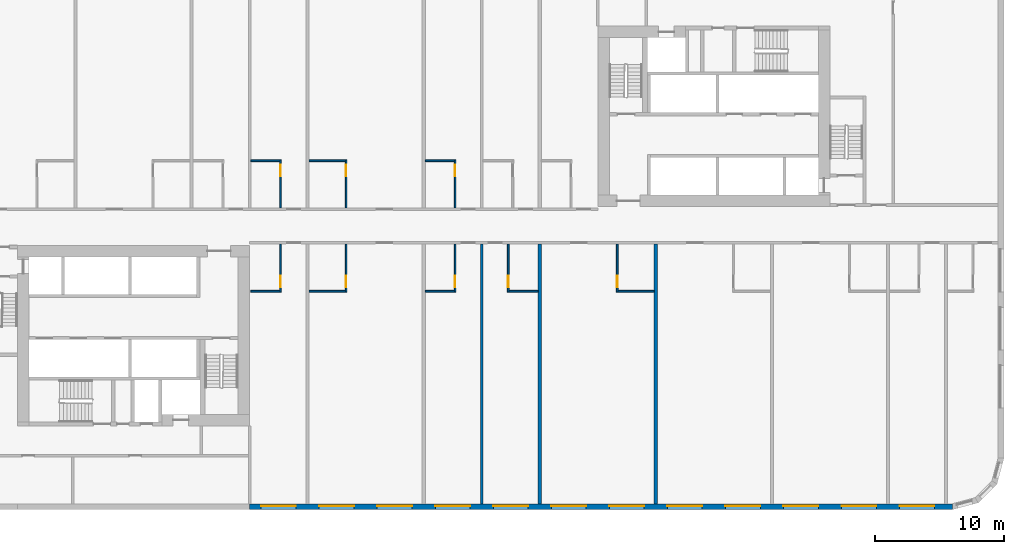
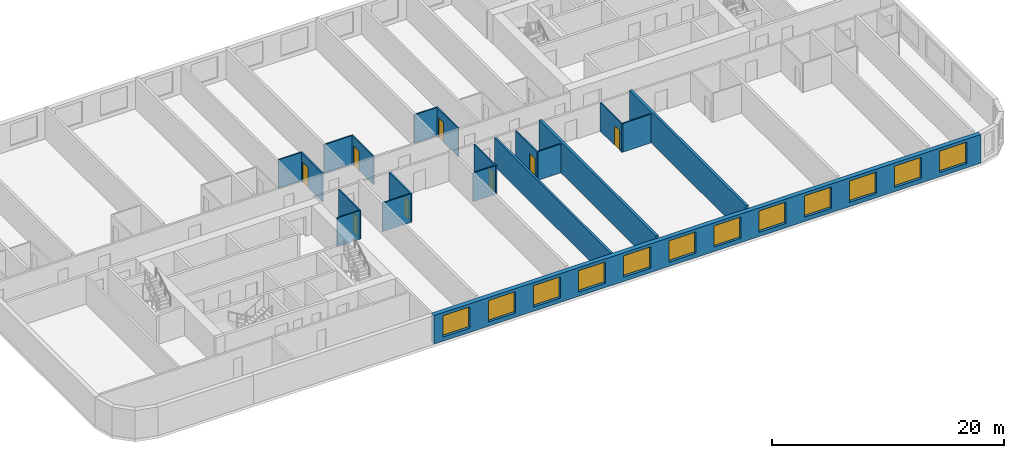
# One storey, part 4 of 12: 20 walls, 12 windows, 8 doors, 20 openings.
"""IFC4 building model written with IfcOpenShell, lengths in metres."""

from ifc_helpers import new_model, si_unit, direction, frame, frame_2d, origin, place, context, subcontext, project, spatial, rectangle, extrude, material, layer, layer_set, type_object, element, fill, save


model = new_model("IFC4")

# Units and contexts
model_context = context("Model", 3, precision=1e-05, world=origin(), true_north=direction((0.0, 1.0)))
body_context = subcontext(model_context, "Body", "Model", "MODEL_VIEW")
ifc_project = project(units=[si_unit("LENGTHUNIT", "METRE"), si_unit("AREAUNIT", "SQUARE_METRE"), si_unit("VOLUMEUNIT", "CUBIC_METRE"), si_unit("PLANEANGLEUNIT", "RADIAN"), si_unit("MASSUNIT", "GRAM", prefix="KILO")], contexts=[model_context])

# Site, building, storey
site_placement = place(None, origin())
site = spatial("IfcSite", under=ifc_project, at=site_placement, CompositionType="ELEMENT")
building_placement = place(site_placement, origin())
building = spatial("IfcBuilding", under=site, at=building_placement, Name="Kajstack Hotel Tower", CompositionType="ELEMENT")
storey_placement = place(building_placement, frame((0.0, 0.0, 66.60009765625)))
storey = spatial("IfcBuildingStorey", under=building, at=storey_placement, Name="L11", CompositionType="ELEMENT", Elevation=66.60009765625)

# Wall
ifc_material_1 = material(Name="Twin-frame gypsum board on steel studs, mineral wool", Category="steel")
ifc_layer_1 = layer(ifc_material_1, 0.199951171875)
ifc_layer_set_1 = layer_set([ifc_layer_1], Name="Demising wall 200")
wall_type_1 = type_object("IfcWallType", Name="Demising wall 200", PredefinedType="PARTITIONING", material=ifc_layer_set_1)
wall_1_placement = place(storey_placement, frame((4.5, -21.550048828125, 0.0), z_axis=(0.0, 0.0, 1.0), x_axis=(0.0, 1.0, 0.0)))
element("IfcWall", 1, at=wall_1_placement, inside=storey, type_object=wall_type_1, Name="G-wall-L11-031", PredefinedType="PARTITIONING", context=body_context, shape_type="SweptSolid", body=[
    extrude(rectangle(XDim=20.150146484375, YDim=0.199951171875, at=frame_2d((10.0751953125, 0.0))), origin(), (0.0, 0.0, 1.0), 3.02001953125),
])

# Wall, openings, windows
ifc_material_2 = material(Name="Terracotta-faced brick masonry", Category="masonry")
ifc_layer_2 = layer(ifc_material_2, 0.449951171875)
ifc_layer_set_2 = layer_set([ifc_layer_2], Name="EW-TERRA")
wall_type_2 = type_object("IfcWallType", Name="EW-TERRA", PredefinedType="SOLIDWALL", material=ifc_layer_set_2)
wall_2_placement = place(storey_placement, frame((-13.5, -21.77490234375, 0.0), z_axis=(0.0, 0.0, 1.0), x_axis=(1.0, 0.0, 0.0)))
wall_2 = element("IfcWall", 2, at=wall_2_placement, inside=storey, type_object=wall_type_2, Name="E-wall-L11-03-02", PredefinedType="SOLIDWALL", context=body_context, shape_type="SweptSolid", body=[
    extrude(rectangle(XDim=54.5, YDim=0.449951171875, at=frame_2d((27.25, 0.0))), origin(), (0.0, 0.0, 1.0), 3.02001953125),
])
opening_1_placement = place(wall_2_placement, frame((0.89990234375, 0.0, 0.449951171875)))
opening_1 = element("IfcOpeningElement", 3, at=opening_1_placement, cuts=wall_2, Name="Opening W1", PredefinedType="OPENING", context=body_context, shape_type="SweptSolid", body=[
    extrude(rectangle(XDim=2.699951171875, YDim=2.25, at=frame_2d((1.35009765625, 1.125))), frame((0.0, 0.23486328125, 0.0), z_axis=(0.0, -1.0, 0.0), x_axis=(1.0, 0.0, 0.0)), (0.0, 0.0, 1.0), 0.469970703125),
])
opening_2_placement = place(wall_2_placement, frame((5.39990234375, 0.0, 0.449951171875)))
opening_2 = element("IfcOpeningElement", 4, at=opening_2_placement, cuts=wall_2, Name="Opening W1", PredefinedType="OPENING", context=body_context, shape_type="SweptSolid", body=[
    extrude(rectangle(XDim=2.699951171875, YDim=2.25, at=frame_2d((1.35009765625, 1.125))), frame((0.0, 0.23486328125, 0.0), z_axis=(0.0, -1.0, 0.0), x_axis=(1.0, 0.0, 0.0)), (0.0, 0.0, 1.0), 0.469970703125),
])
opening_3_placement = place(wall_2_placement, frame((9.89990234375, 0.0, 0.449951171875)))
opening_3 = element("IfcOpeningElement", 5, at=opening_3_placement, cuts=wall_2, Name="Opening W1", PredefinedType="OPENING", context=body_context, shape_type="SweptSolid", body=[
    extrude(rectangle(XDim=2.699951171875, YDim=2.25, at=frame_2d((1.35009765625, 1.125))), frame((0.0, 0.23486328125, 0.0), z_axis=(0.0, -1.0, 0.0), x_axis=(1.0, 0.0, 0.0)), (0.0, 0.0, 1.0), 0.469970703125),
])
opening_4_placement = place(wall_2_placement, frame((14.39990234375, 0.0, 0.449951171875)))
opening_4 = element("IfcOpeningElement", 6, at=opening_4_placement, cuts=wall_2, Name="Opening W1", PredefinedType="OPENING", context=body_context, shape_type="SweptSolid", body=[
    extrude(rectangle(XDim=2.699951171875, YDim=2.25, at=frame_2d((1.35009765625, 1.125))), frame((0.0, 0.23486328125, 0.0), z_axis=(0.0, -1.0, 0.0), x_axis=(1.0, 0.0, 0.0)), (0.0, 0.0, 1.0), 0.469970703125),
])
opening_5_placement = place(wall_2_placement, frame((18.89990234375, 0.0, 0.449951171875)))
opening_5 = element("IfcOpeningElement", 7, at=opening_5_placement, cuts=wall_2, Name="Opening W1", PredefinedType="OPENING", context=body_context, shape_type="SweptSolid", body=[
    extrude(rectangle(XDim=2.699951171875, YDim=2.25, at=frame_2d((1.35009765625, 1.125))), frame((0.0, 0.23486328125, 0.0), z_axis=(0.0, -1.0, 0.0), x_axis=(1.0, 0.0, 0.0)), (0.0, 0.0, 1.0), 0.469970703125),
])
opening_6_placement = place(wall_2_placement, frame((23.39990234375, 0.0, 0.449951171875)))
opening_6 = element("IfcOpeningElement", 8, at=opening_6_placement, cuts=wall_2, Name="Opening W1", PredefinedType="OPENING", context=body_context, shape_type="SweptSolid", body=[
    extrude(rectangle(XDim=2.699951171875, YDim=2.25, at=frame_2d((1.35009765625, 1.125))), frame((0.0, 0.23486328125, 0.0), z_axis=(0.0, -1.0, 0.0), x_axis=(1.0, 0.0, 0.0)), (0.0, 0.0, 1.0), 0.469970703125),
])
opening_7_placement = place(wall_2_placement, frame((27.89990234375, 0.0, 0.449951171875)))
opening_7 = element("IfcOpeningElement", 9, at=opening_7_placement, cuts=wall_2, Name="Opening W1", PredefinedType="OPENING", context=body_context, shape_type="SweptSolid", body=[
    extrude(rectangle(XDim=2.699951171875, YDim=2.25, at=frame_2d((1.35009765625, 1.125))), frame((0.0, 0.23486328125, 0.0), z_axis=(0.0, -1.0, 0.0), x_axis=(1.0, 0.0, 0.0)), (0.0, 0.0, 1.0), 0.469970703125),
])
opening_8_placement = place(wall_2_placement, frame((32.39990234375, 0.0, 0.449951171875)))
opening_8 = element("IfcOpeningElement", 10, at=opening_8_placement, cuts=wall_2, Name="Opening W1", PredefinedType="OPENING", context=body_context, shape_type="SweptSolid", body=[
    extrude(rectangle(XDim=2.699951171875, YDim=2.25, at=frame_2d((1.35009765625, 1.125))), frame((0.0, 0.23486328125, 0.0), z_axis=(0.0, -1.0, 0.0), x_axis=(1.0, 0.0, 0.0)), (0.0, 0.0, 1.0), 0.469970703125),
])
opening_9_placement = place(wall_2_placement, frame((36.89990234375, 0.0, 0.449951171875)))
opening_9 = element("IfcOpeningElement", 11, at=opening_9_placement, cuts=wall_2, Name="Opening W1", PredefinedType="OPENING", context=body_context, shape_type="SweptSolid", body=[
    extrude(rectangle(XDim=2.699951171875, YDim=2.25, at=frame_2d((1.35009765625, 1.125))), frame((0.0, 0.23486328125, 0.0), z_axis=(0.0, -1.0, 0.0), x_axis=(1.0, 0.0, 0.0)), (0.0, 0.0, 1.0), 0.469970703125),
])
opening_10_placement = place(wall_2_placement, frame((41.39990234375, 0.0, 0.449951171875)))
opening_10 = element("IfcOpeningElement", 12, at=opening_10_placement, cuts=wall_2, Name="Opening W1", PredefinedType="OPENING", context=body_context, shape_type="SweptSolid", body=[
    extrude(rectangle(XDim=2.699951171875, YDim=2.25, at=frame_2d((1.35009765625, 1.125))), frame((0.0, 0.23486328125, 0.0), z_axis=(0.0, -1.0, 0.0), x_axis=(1.0, 0.0, 0.0)), (0.0, 0.0, 1.0), 0.469970703125),
])
opening_11_placement = place(wall_2_placement, frame((45.89990234375, 0.0, 0.449951171875)))
opening_11 = element("IfcOpeningElement", 13, at=opening_11_placement, cuts=wall_2, Name="Opening W1", PredefinedType="OPENING", context=body_context, shape_type="SweptSolid", body=[
    extrude(rectangle(XDim=2.699951171875, YDim=2.25, at=frame_2d((1.35009765625, 1.125))), frame((0.0, 0.23486328125, 0.0), z_axis=(0.0, -1.0, 0.0), x_axis=(1.0, 0.0, 0.0)), (0.0, 0.0, 1.0), 0.469970703125),
])
opening_12_placement = place(wall_2_placement, frame((50.39990234375, 0.0, 0.449951171875)))
opening_12 = element("IfcOpeningElement", 14, at=opening_12_placement, cuts=wall_2, Name="Opening W1", PredefinedType="OPENING", context=body_context, shape_type="SweptSolid", body=[
    extrude(rectangle(XDim=2.699951171875, YDim=2.25, at=frame_2d((1.35009765625, 1.125))), frame((0.0, 0.23486328125, 0.0), z_axis=(0.0, -1.0, 0.0), x_axis=(1.0, 0.0, 0.0)), (0.0, 0.0, 1.0), 0.469970703125),
])
ifc_material_3 = material(Name="Timber-aluminium window, triple glazed", Category="wood")
window_type = type_object("IfcWindowType", Name="WG1", PartitioningType="SINGLE_PANEL", PredefinedType="WINDOW", material=ifc_material_3)
window_1_placement = place(opening_1_placement, origin())
window_1 = element("IfcWindow", 15, at=window_1_placement, inside=storey, type_object=window_type, Name="Window W1 L11-03", OverallHeight=2.25, OverallWidth=2.699951171875, PartitioningType="SINGLE_PANEL", PredefinedType="WINDOW", context=body_context, shape_type="SweptSolid", body=[
    extrude(rectangle(XDim=2.699951171875, YDim=2.25, at=frame_2d((1.35009765625, 1.125))), frame((0.0, 0.090087890625, 0.0), z_axis=(0.0, -1.0, 0.0), x_axis=(1.0, 0.0, 0.0)), (0.0, 0.0, 1.0), 0.06005859375),
])
fill(opening_1, window_1)
window_2_placement = place(opening_2_placement, origin())
window_2 = element("IfcWindow", 16, at=window_2_placement, inside=storey, type_object=window_type, Name="Window W1 L11-03", OverallHeight=2.25, OverallWidth=2.699951171875, PartitioningType="SINGLE_PANEL", PredefinedType="WINDOW", context=body_context, shape_type="SweptSolid", body=[
    extrude(rectangle(XDim=2.699951171875, YDim=2.25, at=frame_2d((1.35009765625, 1.125))), frame((0.0, 0.090087890625, 0.0), z_axis=(0.0, -1.0, 0.0), x_axis=(1.0, 0.0, 0.0)), (0.0, 0.0, 1.0), 0.06005859375),
])
fill(opening_2, window_2)
window_3_placement = place(opening_3_placement, origin())
window_3 = element("IfcWindow", 17, at=window_3_placement, inside=storey, type_object=window_type, Name="Window W1 L11-03", OverallHeight=2.25, OverallWidth=2.699951171875, PartitioningType="SINGLE_PANEL", PredefinedType="WINDOW", context=body_context, shape_type="SweptSolid", body=[
    extrude(rectangle(XDim=2.699951171875, YDim=2.25, at=frame_2d((1.35009765625, 1.125))), frame((0.0, 0.090087890625, 0.0), z_axis=(0.0, -1.0, 0.0), x_axis=(1.0, 0.0, 0.0)), (0.0, 0.0, 1.0), 0.06005859375),
])
fill(opening_3, window_3)
window_4_placement = place(opening_4_placement, origin())
window_4 = element("IfcWindow", 18, at=window_4_placement, inside=storey, type_object=window_type, Name="Window W1 L11-03", OverallHeight=2.25, OverallWidth=2.699951171875, PartitioningType="SINGLE_PANEL", PredefinedType="WINDOW", context=body_context, shape_type="SweptSolid", body=[
    extrude(rectangle(XDim=2.699951171875, YDim=2.25, at=frame_2d((1.35009765625, 1.125))), frame((0.0, 0.090087890625, 0.0), z_axis=(0.0, -1.0, 0.0), x_axis=(1.0, 0.0, 0.0)), (0.0, 0.0, 1.0), 0.06005859375),
])
fill(opening_4, window_4)
window_5_placement = place(opening_5_placement, origin())
window_5 = element("IfcWindow", 19, at=window_5_placement, inside=storey, type_object=window_type, Name="Window W1 L11-03", OverallHeight=2.25, OverallWidth=2.699951171875, PartitioningType="SINGLE_PANEL", PredefinedType="WINDOW", context=body_context, shape_type="SweptSolid", body=[
    extrude(rectangle(XDim=2.699951171875, YDim=2.25, at=frame_2d((1.35009765625, 1.125))), frame((0.0, 0.090087890625, 0.0), z_axis=(0.0, -1.0, 0.0), x_axis=(1.0, 0.0, 0.0)), (0.0, 0.0, 1.0), 0.06005859375),
])
fill(opening_5, window_5)
window_6_placement = place(opening_6_placement, origin())
window_6 = element("IfcWindow", 20, at=window_6_placement, inside=storey, type_object=window_type, Name="Window W1 L11-03", OverallHeight=2.25, OverallWidth=2.699951171875, PartitioningType="SINGLE_PANEL", PredefinedType="WINDOW", context=body_context, shape_type="SweptSolid", body=[
    extrude(rectangle(XDim=2.699951171875, YDim=2.25, at=frame_2d((1.35009765625, 1.125))), frame((0.0, 0.090087890625, 0.0), z_axis=(0.0, -1.0, 0.0), x_axis=(1.0, 0.0, 0.0)), (0.0, 0.0, 1.0), 0.06005859375),
])
fill(opening_6, window_6)
window_7_placement = place(opening_7_placement, origin())
window_7 = element("IfcWindow", 21, at=window_7_placement, inside=storey, type_object=window_type, Name="Window W1 L11-03", OverallHeight=2.25, OverallWidth=2.699951171875, PartitioningType="SINGLE_PANEL", PredefinedType="WINDOW", context=body_context, shape_type="SweptSolid", body=[
    extrude(rectangle(XDim=2.699951171875, YDim=2.25, at=frame_2d((1.35009765625, 1.125))), frame((0.0, 0.090087890625, 0.0), z_axis=(0.0, -1.0, 0.0), x_axis=(1.0, 0.0, 0.0)), (0.0, 0.0, 1.0), 0.06005859375),
])
fill(opening_7, window_7)
window_8_placement = place(opening_8_placement, origin())
window_8 = element("IfcWindow", 22, at=window_8_placement, inside=storey, type_object=window_type, Name="Window W1 L11-03", OverallHeight=2.25, OverallWidth=2.699951171875, PartitioningType="SINGLE_PANEL", PredefinedType="WINDOW", context=body_context, shape_type="SweptSolid", body=[
    extrude(rectangle(XDim=2.699951171875, YDim=2.25, at=frame_2d((1.35009765625, 1.125))), frame((0.0, 0.090087890625, 0.0), z_axis=(0.0, -1.0, 0.0), x_axis=(1.0, 0.0, 0.0)), (0.0, 0.0, 1.0), 0.06005859375),
])
fill(opening_8, window_8)
window_9_placement = place(opening_9_placement, origin())
window_9 = element("IfcWindow", 23, at=window_9_placement, inside=storey, type_object=window_type, Name="Window W1 L11-03", OverallHeight=2.25, OverallWidth=2.699951171875, PartitioningType="SINGLE_PANEL", PredefinedType="WINDOW", context=body_context, shape_type="SweptSolid", body=[
    extrude(rectangle(XDim=2.699951171875, YDim=2.25, at=frame_2d((1.35009765625, 1.125))), frame((0.0, 0.090087890625, 0.0), z_axis=(0.0, -1.0, 0.0), x_axis=(1.0, 0.0, 0.0)), (0.0, 0.0, 1.0), 0.06005859375),
])
fill(opening_9, window_9)
window_10_placement = place(opening_10_placement, origin())
window_10 = element("IfcWindow", 24, at=window_10_placement, inside=storey, type_object=window_type, Name="Window W1 L11-03", OverallHeight=2.25, OverallWidth=2.699951171875, PartitioningType="SINGLE_PANEL", PredefinedType="WINDOW", context=body_context, shape_type="SweptSolid", body=[
    extrude(rectangle(XDim=2.699951171875, YDim=2.25, at=frame_2d((1.35009765625, 1.125))), frame((0.0, 0.090087890625, 0.0), z_axis=(0.0, -1.0, 0.0), x_axis=(1.0, 0.0, 0.0)), (0.0, 0.0, 1.0), 0.06005859375),
])
fill(opening_10, window_10)
window_11_placement = place(opening_11_placement, origin())
window_11 = element("IfcWindow", 25, at=window_11_placement, inside=storey, type_object=window_type, Name="Window W1 L11-03", OverallHeight=2.25, OverallWidth=2.699951171875, PartitioningType="SINGLE_PANEL", PredefinedType="WINDOW", context=body_context, shape_type="SweptSolid", body=[
    extrude(rectangle(XDim=2.699951171875, YDim=2.25, at=frame_2d((1.35009765625, 1.125))), frame((0.0, 0.090087890625, 0.0), z_axis=(0.0, -1.0, 0.0), x_axis=(1.0, 0.0, 0.0)), (0.0, 0.0, 1.0), 0.06005859375),
])
fill(opening_11, window_11)
window_12_placement = place(opening_12_placement, origin())
window_12 = element("IfcWindow", 26, at=window_12_placement, inside=storey, type_object=window_type, Name="Window W1 L11-03", OverallHeight=2.25, OverallWidth=2.699951171875, PartitioningType="SINGLE_PANEL", PredefinedType="WINDOW", context=body_context, shape_type="SweptSolid", body=[
    extrude(rectangle(XDim=2.699951171875, YDim=2.25, at=frame_2d((1.35009765625, 1.125))), frame((0.0, 0.090087890625, 0.0), z_axis=(0.0, -1.0, 0.0), x_axis=(1.0, 0.0, 0.0)), (0.0, 0.0, 1.0), 0.06005859375),
])
fill(opening_12, window_12)

# Wall, opening, door
ifc_material_4 = material(Name="Gypsum board and tiled backer on steel studs", Category="steel")
ifc_layer_3 = layer(ifc_material_4, 0.125)
ifc_layer_set_3 = layer_set([ifc_layer_3], Name="En-suite wall 125")
wall_type_3 = type_object("IfcWallType", Name="En-suite wall 125", PredefinedType="PARTITIONING", material=ifc_layer_set_3)
wall_3_placement = place(storey_placement, frame((-11.087890625, 1.39990234375, 0.0), z_axis=(0.0, 0.0, 1.0), x_axis=(0.0, 1.0, 0.0)))
wall_3 = element("IfcWall", 27, at=wall_3_placement, inside=storey, type_object=wall_type_3, Name="G-wall-L11-015", PredefinedType="PARTITIONING", context=body_context, shape_type="SweptSolid", body=[
    extrude(rectangle(XDim=3.72509765625, YDim=0.125, at=frame_2d((1.862548828125, 0.0))), origin(), (0.0, 0.0, 1.0), 3.02001953125),
])
opening_13_placement = place(wall_3_placement, frame((2.449951171875, 0.0, 0.0)))
opening_13 = element("IfcOpeningElement", 28, at=opening_13_placement, cuts=wall_3, Name="Opening 11012", PredefinedType="OPENING", context=body_context, shape_type="SweptSolid", body=[
    extrude(rectangle(XDim=0.89990234375, YDim=2.10009765625, at=frame_2d((0.449951171875, 1.050048828125))), frame((0.0, 0.072509765625, 0.0), z_axis=(0.0, -1.0, 0.0), x_axis=(1.0, 0.0, 0.0)), (0.0, 0.0, 1.0), 0.14501953125),
])
ifc_material_5 = material(Name="Painted timber door leaf", Category="wood")
door_type = type_object("IfcDoorType", Name="Room door 900", OperationType="SINGLE_SWING_LEFT", PredefinedType="DOOR", material=ifc_material_5)
door_1_placement = place(opening_13_placement, origin())
door_1 = element("IfcDoor", 29, at=door_1_placement, inside=storey, type_object=door_type, Name="G-door-L11-12", OperationType="SINGLE_SWING_RIGHT", OverallHeight=2.10009765625, OverallWidth=0.89990234375, PredefinedType="DOOR", context=body_context, shape_type="SweptSolid", body=[
    extrude(rectangle(XDim=0.89990234375, YDim=2.10009765625, at=frame_2d((0.449951171875, 1.050048828125))), frame((0.0, 0.02490234375, 0.0), z_axis=(0.0, -1.0, 0.0), x_axis=(1.0, 0.0, 0.0)), (0.0, 0.0, 1.0), 0.050048828125),
])
fill(opening_13, door_1)

# Wall
wall_4_placement = place(storey_placement, frame((-13.39990234375, 5.06201171875, 0.0), z_axis=(0.0, 0.0, 1.0), x_axis=(1.0, 0.0, 0.0)))
element("IfcWall", 30, at=wall_4_placement, inside=storey, type_object=wall_type_3, Name="G-wall-L11-016", PredefinedType="PARTITIONING", context=body_context, shape_type="SweptSolid", body=[
    extrude(rectangle(XDim=2.25, YDim=0.125, at=frame_2d((1.125, 0.0))), origin(), (0.0, 0.0, 1.0), 3.02001953125),
])

# Wall, opening, door
wall_5_placement = place(storey_placement, frame((-6.012939453125, 1.39990234375, 0.0), z_axis=(0.0, 0.0, 1.0), x_axis=(0.0, 1.0, 0.0)))
wall_5 = element("IfcWall", 31, at=wall_5_placement, inside=storey, type_object=wall_type_3, Name="G-wall-L11-017", PredefinedType="PARTITIONING", context=body_context, shape_type="SweptSolid", body=[
    extrude(rectangle(XDim=3.72509765625, YDim=0.125, at=frame_2d((1.862548828125, 0.0))), origin(), (0.0, 0.0, 1.0), 3.02001953125),
])
opening_14_placement = place(wall_5_placement, frame((2.449951171875, 0.0, 0.0)))
opening_14 = element("IfcOpeningElement", 32, at=opening_14_placement, cuts=wall_5, Name="Opening 11014", PredefinedType="OPENING", context=body_context, shape_type="SweptSolid", body=[
    extrude(rectangle(XDim=0.89990234375, YDim=2.10009765625, at=frame_2d((0.449951171875, 1.050048828125))), frame((0.0, 0.072509765625, 0.0), z_axis=(0.0, -1.0, 0.0), x_axis=(1.0, 0.0, 0.0)), (0.0, 0.0, 1.0), 0.14501953125),
])
door_2_placement = place(opening_14_placement, origin())
door_2 = element("IfcDoor", 33, at=door_2_placement, inside=storey, type_object=door_type, Name="G-door-L11-14", OperationType="SINGLE_SWING_RIGHT", OverallHeight=2.10009765625, OverallWidth=0.89990234375, PredefinedType="DOOR", context=body_context, shape_type="SweptSolid", body=[
    extrude(rectangle(XDim=0.89990234375, YDim=2.10009765625, at=frame_2d((0.449951171875, 1.050048828125))), frame((0.0, 0.02490234375, 0.0), z_axis=(0.0, -1.0, 0.0), x_axis=(1.0, 0.0, 0.0)), (0.0, 0.0, 1.0), 0.050048828125),
])
fill(opening_14, door_2)

# Wall
wall_6_placement = place(storey_placement, frame((-8.875, 5.06201171875, 0.0), z_axis=(0.0, 0.0, 1.0), x_axis=(1.0, 0.0, 0.0)))
element("IfcWall", 34, at=wall_6_placement, inside=storey, type_object=wall_type_3, Name="G-wall-L11-018", PredefinedType="PARTITIONING", context=body_context, shape_type="SweptSolid", body=[
    extrude(rectangle(XDim=2.800048828125, YDim=0.125, at=frame_2d((1.39990234375, 0.0))), origin(), (0.0, 0.0, 1.0), 3.02001953125),
])

# Wall, opening, door
wall_7_placement = place(storey_placement, frame((2.43798828125, 1.39990234375, 0.0), z_axis=(0.0, 0.0, 1.0), x_axis=(0.0, 1.0, 0.0)))
wall_7 = element("IfcWall", 35, at=wall_7_placement, inside=storey, type_object=wall_type_3, Name="G-wall-L11-020", PredefinedType="PARTITIONING", context=body_context, shape_type="SweptSolid", body=[
    extrude(rectangle(XDim=3.72509765625, YDim=0.125, at=frame_2d((1.862548828125, 0.0))), origin(), (0.0, 0.0, 1.0), 3.02001953125),
])
opening_15_placement = place(wall_7_placement, frame((2.449951171875, 0.0, 0.0)))
opening_15 = element("IfcOpeningElement", 36, at=opening_15_placement, cuts=wall_7, Name="Opening 11016", PredefinedType="OPENING", context=body_context, shape_type="SweptSolid", body=[
    extrude(rectangle(XDim=0.89990234375, YDim=2.10009765625, at=frame_2d((0.449951171875, 1.050048828125))), frame((0.0, 0.072509765625, 0.0), z_axis=(0.0, -1.0, 0.0), x_axis=(1.0, 0.0, 0.0)), (0.0, 0.0, 1.0), 0.14501953125),
])
door_3_placement = place(opening_15_placement, origin())
door_3 = element("IfcDoor", 37, at=door_3_placement, inside=storey, type_object=door_type, Name="G-door-L11-16", OperationType="SINGLE_SWING_RIGHT", OverallHeight=2.10009765625, OverallWidth=0.89990234375, PredefinedType="DOOR", context=body_context, shape_type="SweptSolid", body=[
    extrude(rectangle(XDim=0.89990234375, YDim=2.10009765625, at=frame_2d((0.449951171875, 1.050048828125))), frame((0.0, 0.02490234375, 0.0), z_axis=(0.0, -1.0, 0.0), x_axis=(1.0, 0.0, 0.0)), (0.0, 0.0, 1.0), 0.050048828125),
])
fill(opening_15, door_3)

# Wall
wall_8_placement = place(storey_placement, frame((0.125, 5.06201171875, 0.0), z_axis=(0.0, 0.0, 1.0), x_axis=(1.0, 0.0, 0.0)))
element("IfcWall", 38, at=wall_8_placement, inside=storey, type_object=wall_type_3, Name="G-wall-L11-021", PredefinedType="PARTITIONING", context=body_context, shape_type="SweptSolid", body=[
    extrude(rectangle(XDim=2.25, YDim=0.125, at=frame_2d((1.125, 0.0))), origin(), (0.0, 0.0, 1.0), 3.02001953125),
])

# Wall, opening, door
wall_9_placement = place(storey_placement, frame((-11.087890625, -5.125, 0.0), z_axis=(0.0, 0.0, 1.0), x_axis=(0.0, 1.0, 0.0)))
wall_9 = element("IfcWall", 39, at=wall_9_placement, inside=storey, type_object=wall_type_3, Name="G-wall-L11-027", PredefinedType="PARTITIONING", context=body_context, shape_type="SweptSolid", body=[
    extrude(rectangle(XDim=3.72509765625, YDim=0.125, at=frame_2d((1.862548828125, 0.0))), origin(), (0.0, 0.0, 1.0), 3.02001953125),
])
opening_16_placement = place(wall_9_placement, frame((0.375, 0.0, 0.0)))
opening_16 = element("IfcOpeningElement", 40, at=opening_16_placement, cuts=wall_9, Name="Opening 11022", PredefinedType="OPENING", context=body_context, shape_type="SweptSolid", body=[
    extrude(rectangle(XDim=0.89990234375, YDim=2.10009765625, at=frame_2d((0.449951171875, 1.050048828125))), frame((0.0, 0.072509765625, 0.0), z_axis=(0.0, -1.0, 0.0), x_axis=(1.0, 0.0, 0.0)), (0.0, 0.0, 1.0), 0.14501953125),
])
door_4_placement = place(opening_16_placement, origin())
door_4 = element("IfcDoor", 41, at=door_4_placement, inside=storey, type_object=door_type, Name="G-door-L11-22", OperationType="SINGLE_SWING_LEFT", OverallHeight=2.10009765625, OverallWidth=0.89990234375, PredefinedType="DOOR", context=body_context, shape_type="SweptSolid", body=[
    extrude(rectangle(XDim=0.89990234375, YDim=2.10009765625, at=frame_2d((0.449951171875, 1.050048828125))), frame((0.0, 0.02490234375, 0.0), z_axis=(0.0, -1.0, 0.0), x_axis=(1.0, 0.0, 0.0)), (0.0, 0.0, 1.0), 0.050048828125),
])
fill(opening_16, door_4)

# Wall
wall_10_placement = place(storey_placement, frame((-13.39990234375, -5.06201171875, 0.0), z_axis=(0.0, 0.0, 1.0), x_axis=(1.0, 0.0, 0.0)))
element("IfcWall", 42, at=wall_10_placement, inside=storey, type_object=wall_type_3, Name="G-wall-L11-028", PredefinedType="PARTITIONING", context=body_context, shape_type="SweptSolid", body=[
    extrude(rectangle(XDim=2.25, YDim=0.125, at=frame_2d((1.125, 0.0))), origin(), (0.0, 0.0, 1.0), 3.02001953125),
])

# Wall, opening, door
wall_11_placement = place(storey_placement, frame((-6.012939453125, -5.125, 0.0), z_axis=(0.0, 0.0, 1.0), x_axis=(0.0, 1.0, 0.0)))
wall_11 = element("IfcWall", 43, at=wall_11_placement, inside=storey, type_object=wall_type_3, Name="G-wall-L11-029", PredefinedType="PARTITIONING", context=body_context, shape_type="SweptSolid", body=[
    extrude(rectangle(XDim=3.72509765625, YDim=0.125, at=frame_2d((1.862548828125, 0.0))), origin(), (0.0, 0.0, 1.0), 3.02001953125),
])
opening_17_placement = place(wall_11_placement, frame((0.375, 0.0, 0.0)))
opening_17 = element("IfcOpeningElement", 44, at=opening_17_placement, cuts=wall_11, Name="Opening 11024", PredefinedType="OPENING", context=body_context, shape_type="SweptSolid", body=[
    extrude(rectangle(XDim=0.89990234375, YDim=2.10009765625, at=frame_2d((0.449951171875, 1.050048828125))), frame((0.0, 0.072509765625, 0.0), z_axis=(0.0, -1.0, 0.0), x_axis=(1.0, 0.0, 0.0)), (0.0, 0.0, 1.0), 0.14501953125),
])
door_5_placement = place(opening_17_placement, origin())
door_5 = element("IfcDoor", 45, at=door_5_placement, inside=storey, type_object=door_type, Name="G-door-L11-24", OperationType="SINGLE_SWING_RIGHT", OverallHeight=2.10009765625, OverallWidth=0.89990234375, PredefinedType="DOOR", context=body_context, shape_type="SweptSolid", body=[
    extrude(rectangle(XDim=0.89990234375, YDim=2.10009765625, at=frame_2d((0.449951171875, 1.050048828125))), frame((0.0, 0.02490234375, 0.0), z_axis=(0.0, -1.0, 0.0), x_axis=(1.0, 0.0, 0.0)), (0.0, 0.0, 1.0), 0.050048828125),
])
fill(opening_17, door_5)

# Wall
wall_12_placement = place(storey_placement, frame((-8.875, -5.06201171875, 0.0), z_axis=(0.0, 0.0, 1.0), x_axis=(1.0, 0.0, 0.0)))
element("IfcWall", 46, at=wall_12_placement, inside=storey, type_object=wall_type_3, Name="G-wall-L11-030", PredefinedType="PARTITIONING", context=body_context, shape_type="SweptSolid", body=[
    extrude(rectangle(XDim=2.800048828125, YDim=0.125, at=frame_2d((1.39990234375, 0.0))), origin(), (0.0, 0.0, 1.0), 3.02001953125),
])

# Wall, opening, door
wall_13_placement = place(storey_placement, frame((2.43798828125, -5.125, 0.0), z_axis=(0.0, 0.0, 1.0), x_axis=(0.0, 1.0, 0.0)))
wall_13 = element("IfcWall", 47, at=wall_13_placement, inside=storey, type_object=wall_type_3, Name="G-wall-L11-032", PredefinedType="PARTITIONING", context=body_context, shape_type="SweptSolid", body=[
    extrude(rectangle(XDim=3.72509765625, YDim=0.125, at=frame_2d((1.862548828125, 0.0))), origin(), (0.0, 0.0, 1.0), 3.02001953125),
])
opening_18_placement = place(wall_13_placement, frame((0.375, 0.0, 0.0)))
opening_18 = element("IfcOpeningElement", 48, at=opening_18_placement, cuts=wall_13, Name="Opening 11026", PredefinedType="OPENING", context=body_context, shape_type="SweptSolid", body=[
    extrude(rectangle(XDim=0.89990234375, YDim=2.10009765625, at=frame_2d((0.449951171875, 1.050048828125))), frame((0.0, 0.072509765625, 0.0), z_axis=(0.0, -1.0, 0.0), x_axis=(1.0, 0.0, 0.0)), (0.0, 0.0, 1.0), 0.14501953125),
])
door_6_placement = place(opening_18_placement, origin())
door_6 = element("IfcDoor", 49, at=door_6_placement, inside=storey, type_object=door_type, Name="G-door-L11-26", OperationType="SINGLE_SWING_RIGHT", OverallHeight=2.10009765625, OverallWidth=0.89990234375, PredefinedType="DOOR", context=body_context, shape_type="SweptSolid", body=[
    extrude(rectangle(XDim=0.89990234375, YDim=2.10009765625, at=frame_2d((0.449951171875, 1.050048828125))), frame((0.0, 0.02490234375, 0.0), z_axis=(0.0, -1.0, 0.0), x_axis=(1.0, 0.0, 0.0)), (0.0, 0.0, 1.0), 0.050048828125),
])
fill(opening_18, door_6)

# Wall
wall_14_placement = place(storey_placement, frame((0.125, -5.06201171875, 0.0), z_axis=(0.0, 0.0, 1.0), x_axis=(1.0, 0.0, 0.0)))
element("IfcWall", 50, at=wall_14_placement, inside=storey, type_object=wall_type_3, Name="G-wall-L11-033", PredefinedType="PARTITIONING", context=body_context, shape_type="SweptSolid", body=[
    extrude(rectangle(XDim=2.25, YDim=0.125, at=frame_2d((1.125, 0.0))), origin(), (0.0, 0.0, 1.0), 3.02001953125),
])

# Wall, opening, door
wall_15_placement = place(storey_placement, frame((6.56201171875, -5.125, 0.0), z_axis=(0.0, 0.0, 1.0), x_axis=(0.0, 1.0, 0.0)))
wall_15 = element("IfcWall", 51, at=wall_15_placement, inside=storey, type_object=wall_type_3, Name="G-wall-L11-034", PredefinedType="PARTITIONING", context=body_context, shape_type="SweptSolid", body=[
    extrude(rectangle(XDim=3.72509765625, YDim=0.125, at=frame_2d((1.862548828125, 0.0))), origin(), (0.0, 0.0, 1.0), 3.02001953125),
])
opening_19_placement = place(wall_15_placement, frame((0.375, 0.0, 0.0)))
opening_19 = element("IfcOpeningElement", 52, at=opening_19_placement, cuts=wall_15, Name="Opening 11028", PredefinedType="OPENING", context=body_context, shape_type="SweptSolid", body=[
    extrude(rectangle(XDim=0.89990234375, YDim=2.10009765625, at=frame_2d((0.449951171875, 1.050048828125))), frame((0.0, 0.072509765625, 0.0), z_axis=(0.0, -1.0, 0.0), x_axis=(1.0, 0.0, 0.0)), (0.0, 0.0, 1.0), 0.14501953125),
])
door_7_placement = place(opening_19_placement, origin())
door_7 = element("IfcDoor", 53, at=door_7_placement, inside=storey, type_object=door_type, Name="G-door-L11-28", OperationType="SINGLE_SWING_LEFT", OverallHeight=2.10009765625, OverallWidth=0.89990234375, PredefinedType="DOOR", context=body_context, shape_type="SweptSolid", body=[
    extrude(rectangle(XDim=0.89990234375, YDim=2.10009765625, at=frame_2d((0.449951171875, 1.050048828125))), frame((0.0, 0.02490234375, 0.0), z_axis=(0.0, -1.0, 0.0), x_axis=(1.0, 0.0, 0.0)), (0.0, 0.0, 1.0), 0.050048828125),
])
fill(opening_19, door_7)

# Wall
wall_16_placement = place(storey_placement, frame((6.625, -5.06201171875, 0.0), z_axis=(0.0, 0.0, 1.0), x_axis=(1.0, 0.0, 0.0)))
element("IfcWall", 54, at=wall_16_placement, inside=storey, type_object=wall_type_3, Name="G-wall-L11-035", PredefinedType="PARTITIONING", context=body_context, shape_type="SweptSolid", body=[
    extrude(rectangle(XDim=2.25, YDim=0.125, at=frame_2d((1.125, 0.0))), origin(), (0.0, 0.0, 1.0), 3.02001953125),
])

# Wall, opening, door
wall_17_placement = place(storey_placement, frame((15.011962890625, -5.125, 0.0), z_axis=(0.0, 0.0, 1.0), x_axis=(0.0, 1.0, 0.0)))
wall_17 = element("IfcWall", 55, at=wall_17_placement, inside=storey, type_object=wall_type_3, Name="G-wall-L11-036", PredefinedType="PARTITIONING", context=body_context, shape_type="SweptSolid", body=[
    extrude(rectangle(XDim=3.72509765625, YDim=0.125, at=frame_2d((1.862548828125, 0.0))), origin(), (0.0, 0.0, 1.0), 3.02001953125),
])
opening_20_placement = place(wall_17_placement, frame((0.375, 0.0, 0.0)))
opening_20 = element("IfcOpeningElement", 56, at=opening_20_placement, cuts=wall_17, Name="Opening 11030", PredefinedType="OPENING", context=body_context, shape_type="SweptSolid", body=[
    extrude(rectangle(XDim=0.89990234375, YDim=2.10009765625, at=frame_2d((0.449951171875, 1.050048828125))), frame((0.0, 0.072509765625, 0.0), z_axis=(0.0, -1.0, 0.0), x_axis=(1.0, 0.0, 0.0)), (0.0, 0.0, 1.0), 0.14501953125),
])
door_8_placement = place(opening_20_placement, origin())
door_8 = element("IfcDoor", 57, at=door_8_placement, inside=storey, type_object=door_type, Name="G-door-L11-30", OperationType="SINGLE_SWING_LEFT", OverallHeight=2.10009765625, OverallWidth=0.89990234375, PredefinedType="DOOR", context=body_context, shape_type="SweptSolid", body=[
    extrude(rectangle(XDim=0.89990234375, YDim=2.10009765625, at=frame_2d((0.449951171875, 1.050048828125))), frame((0.0, 0.02490234375, 0.0), z_axis=(0.0, -1.0, 0.0), x_axis=(1.0, 0.0, 0.0)), (0.0, 0.0, 1.0), 0.050048828125),
])
fill(opening_20, door_8)

# Walls
wall_18_placement = place(storey_placement, frame((15.074951171875, -5.06201171875, 0.0), z_axis=(0.0, 0.0, 1.0), x_axis=(1.0, 0.0, 0.0)))
element("IfcWall", 58, at=wall_18_placement, inside=storey, type_object=wall_type_3, Name="G-wall-L11-037", PredefinedType="PARTITIONING", context=body_context, shape_type="SweptSolid", body=[
    extrude(rectangle(XDim=2.800048828125, YDim=0.125, at=frame_2d((1.39990234375, 0.0))), origin(), (0.0, 0.0, 1.0), 3.02001953125),
])
ifc_material_6 = material(Name="Concrete C60/75", Category="concrete")
ifc_layer_4 = layer(ifc_material_6, 0.25)
ifc_layer_set_4 = layer_set([ifc_layer_4], Name="RC cross wall 250 C60/75")
wall_type_4 = type_object("IfcWallType", Name="RC cross wall 250 C60/75", PredefinedType="SHEAR", material=ifc_layer_set_4)
for number, where, z_axis, x_axis, name in (
    (59, (9.0, -21.5400390625, 0.0), (0.0, 0.0, 1.0), (0.0, 1.0, 0.0), "S-wall-L11-09"),
    (60, (18.0, -21.5400390625, 0.0), (0.0, 0.0, 1.0), (0.0, 1.0, 0.0), "S-wall-L11-11"),
):
    element("IfcWall", number, at=place(storey_placement, frame(where, z_axis=z_axis, x_axis=x_axis)), inside=storey, type_object=wall_type_4, Name=name, PredefinedType="SHEAR", context=body_context, shape_type="SweptSolid", body=[
        extrude(rectangle(XDim=20.14013671875, YDim=0.25, at=frame_2d((10.070068359375, 0.0))), origin(), (0.0, 0.0, 1.0), 3.2998046875),
    ])

save(model, "model.ifc")
